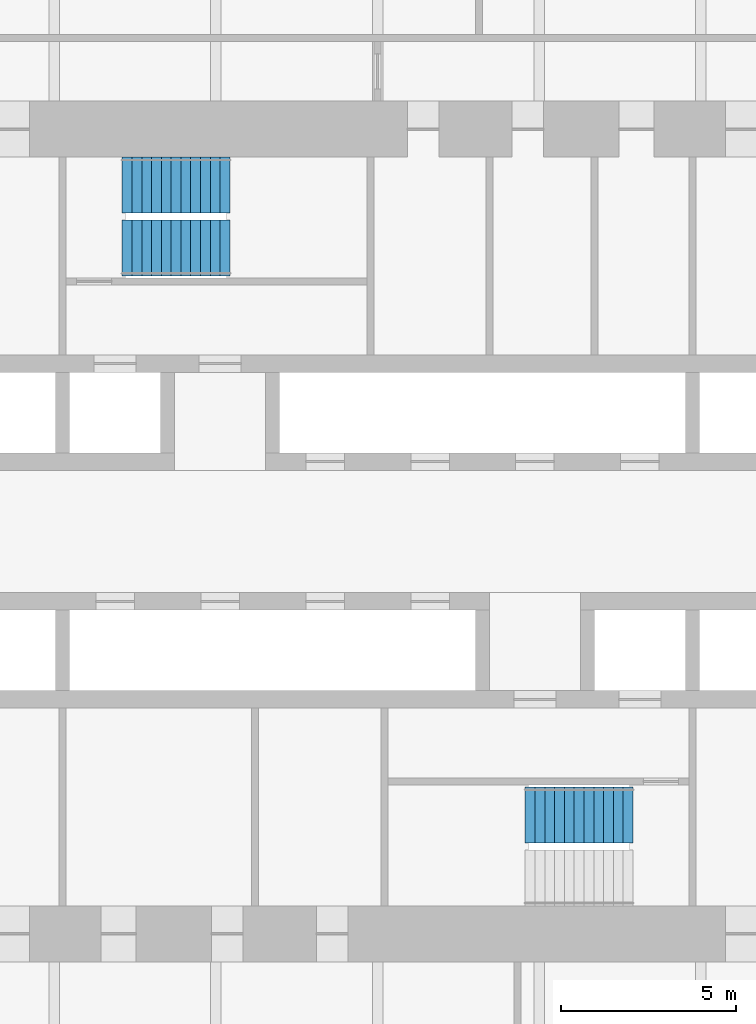
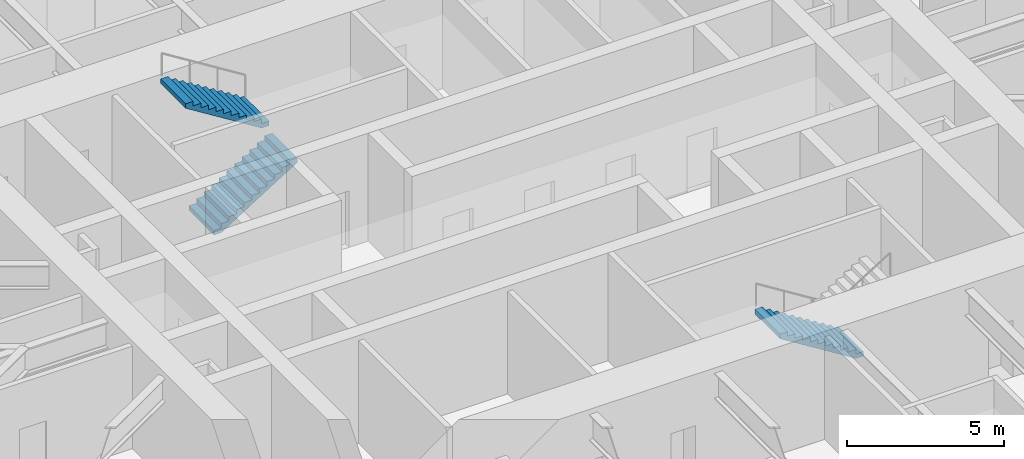
# One storey, part 18 of 20: 3 stair flights, 2 elements without a shape of their own.
"""IFC4 building model written with IfcOpenShell, lengths in metres."""

from ifc_helpers import new_model, si_unit, direction, frame, origin, place, context, subcontext, project, spatial, polyline, outline, extrude, material, type_object, element, aggregate, save


model = new_model("IFC4")

# Units and contexts
model_context = context("Model", 3, precision=1e-05, world=origin(), true_north=direction((0.0, 1.0)))
body_context = subcontext(model_context, "Body", "Model", "MODEL_VIEW")
ifc_project = project(units=[si_unit("LENGTHUNIT", "METRE"), si_unit("AREAUNIT", "SQUARE_METRE"), si_unit("VOLUMEUNIT", "CUBIC_METRE"), si_unit("PLANEANGLEUNIT", "RADIAN"), si_unit("MASSUNIT", "GRAM", prefix="KILO")], contexts=[model_context])

# Site, building, storey
site_placement = place(None, origin())
site = spatial("IfcSite", under=ifc_project, at=site_placement, CompositionType="ELEMENT")
building_placement = place(site_placement, origin())
building = spatial("IfcBuilding", under=site, at=building_placement, Name="Tarfa Lantern Tower", CompositionType="ELEMENT")
storey_placement = place(building_placement, frame((0.0, 0.0, 223.89990234375)))
storey = spatial("IfcBuildingStorey", under=building, at=storey_placement, Name="L50", CompositionType="ELEMENT", Elevation=223.89990234375)

# Stair, stair flights
ifc_material = material(Name="Concrete C40/50", Category="concrete")
stair_type = type_object("IfcStairType", Name="ST-T10 HALF-TURN STAIR 4200 RISE", PredefinedType="HALF_TURN_STAIR", material=ifc_material)
stair_1_placement = place(storey_placement, origin())
stair_1 = element("IfcStair", 1, at=stair_1_placement, inside=storey, type_object=stair_type, Name="Stair ST1", PredefinedType="HALF_TURN_STAIR")
stair_flight_type = type_object("IfcStairFlightType", Name="SF1 STAIR FLIGHT", PredefinedType="STRAIGHT", material=ifc_material)
stair_flight_1_placement = place(storey_placement, frame((-7.300048828125, 8.10009765625, 0.0), z_axis=(0.0, 0.0, 1.0), x_axis=(1.0, 0.0, 0.0)))
stair_flight_1 = element("IfcStairFlight", 2, at=stair_flight_1_placement, type_object=stair_flight_type, Name="ST1 flight 1", NumberOfRisers=12, NumberOfTreads=11, PredefinedType="STRAIGHT", RiserHeight=0.175, TreadLength=0.28, context=body_context, shape_type="SweptSolid", body=[
    extrude(outline(polyline([(0.0, 0.0), (0.0, 0.175048828125), (0.280029296875, 0.175048828125), (0.280029296875, 0.35009765625), (0.56005859375, 0.35009765625), (0.56005859375, 0.52490234375), (0.840087890625, 0.52490234375), (0.840087890625, 0.699951171875), (1.1201171875, 0.699951171875), (1.1201171875, 0.875), (1.39990234375, 0.875), (1.39990234375, 1.050048828125), (1.679931640625, 1.050048828125), (1.679931640625, 1.22509765625), (1.9599609375, 1.22509765625), (1.9599609375, 1.39990234375), (2.239990234375, 1.39990234375), (2.239990234375, 1.574951171875), (2.52001953125, 1.574951171875), (2.52001953125, 1.75), (2.800048828125, 1.75), (2.800048828125, 1.925048828125), (3.080078125, 1.925048828125), (3.080078125, 2.10009765625), (3.080078125, 1.748291015625), (0.28271484375, 0.0), (0.0, 0.0)])), frame((0.0, 0.800048828125, 0.0), z_axis=(0.0, -1.0, 0.0), x_axis=(1.0, 0.0, 0.0)), (0.0, 0.0, 1.0), 1.60009765625),
])
stair_flight_2_placement = place(storey_placement, frame((-4.219970703125, 9.89990234375, 2.10009765625), z_axis=(0.0, 0.0, 1.0), x_axis=(-1.0, 0.0, 0.0)))
stair_flight_2 = element("IfcStairFlight", 3, at=stair_flight_2_placement, type_object=stair_flight_type, Name="ST1 flight 2", NumberOfRisers=12, NumberOfTreads=11, PredefinedType="STRAIGHT", RiserHeight=0.175, TreadLength=0.28, context=body_context, shape_type="SweptSolid", body=[
    extrude(outline(polyline([(0.0, 0.0), (0.0, 0.175048828125), (0.280029296875, 0.175048828125), (0.280029296875, 0.35009765625), (0.56005859375, 0.35009765625), (0.56005859375, 0.52490234375), (0.840087890625, 0.52490234375), (0.840087890625, 0.699951171875), (1.1201171875, 0.699951171875), (1.1201171875, 0.875), (1.39990234375, 0.875), (1.39990234375, 1.050048828125), (1.679931640625, 1.050048828125), (1.679931640625, 1.22509765625), (1.9599609375, 1.22509765625), (1.9599609375, 1.39990234375), (2.239990234375, 1.39990234375), (2.239990234375, 1.574951171875), (2.52001953125, 1.574951171875), (2.52001953125, 1.75), (2.800048828125, 1.75), (2.800048828125, 1.925048828125), (3.080078125, 1.925048828125), (3.080078125, 2.10009765625), (3.080078125, 1.748291015625), (0.28271484375, 0.0), (0.0, 0.0)])), frame((0.0, 0.800048828125, 0.0), z_axis=(0.0, -1.0, 0.0), x_axis=(1.0, 0.0, 0.0)), (0.0, 0.0, 1.0), 1.60009765625),
])
aggregate(stair_1, [stair_flight_1, stair_flight_2])

# Stair, stair flight
stair_2_placement = place(storey_placement, origin())
stair_2 = element("IfcStair", 4, at=stair_2_placement, inside=storey, type_object=stair_type, Name="Stair ST2", PredefinedType="HALF_TURN_STAIR")
stair_flight_3_placement = place(storey_placement, frame((7.300048828125, -8.10009765625, 0.0), z_axis=(0.0, 0.0, 1.0), x_axis=(-1.0, 0.0, 0.0)))
stair_flight_3 = element("IfcStairFlight", 5, at=stair_flight_3_placement, type_object=stair_flight_type, Name="ST2 flight 1", NumberOfRisers=12, NumberOfTreads=11, PredefinedType="STRAIGHT", RiserHeight=0.175, TreadLength=0.28, context=body_context, shape_type="SweptSolid", body=[
    extrude(outline(polyline([(0.0, 0.0), (0.0, 0.175048828125), (0.280029296875, 0.175048828125), (0.280029296875, 0.35009765625), (0.56005859375, 0.35009765625), (0.56005859375, 0.52490234375), (0.840087890625, 0.52490234375), (0.840087890625, 0.699951171875), (1.1201171875, 0.699951171875), (1.1201171875, 0.875), (1.39990234375, 0.875), (1.39990234375, 1.050048828125), (1.679931640625, 1.050048828125), (1.679931640625, 1.22509765625), (1.9599609375, 1.22509765625), (1.9599609375, 1.39990234375), (2.239990234375, 1.39990234375), (2.239990234375, 1.574951171875), (2.52001953125, 1.574951171875), (2.52001953125, 1.75), (2.800048828125, 1.75), (2.800048828125, 1.925048828125), (3.080078125, 1.925048828125), (3.080078125, 2.10009765625), (3.080078125, 1.748291015625), (0.28271484375, 0.0), (0.0, 0.0)])), frame((0.0, 0.800048828125, 0.0), z_axis=(0.0, -1.0, 0.0), x_axis=(1.0, 0.0, 0.0)), (0.0, 0.0, 1.0), 1.60009765625),
])
aggregate(stair_2, [stair_flight_3])

save(model, "model.ifc")
